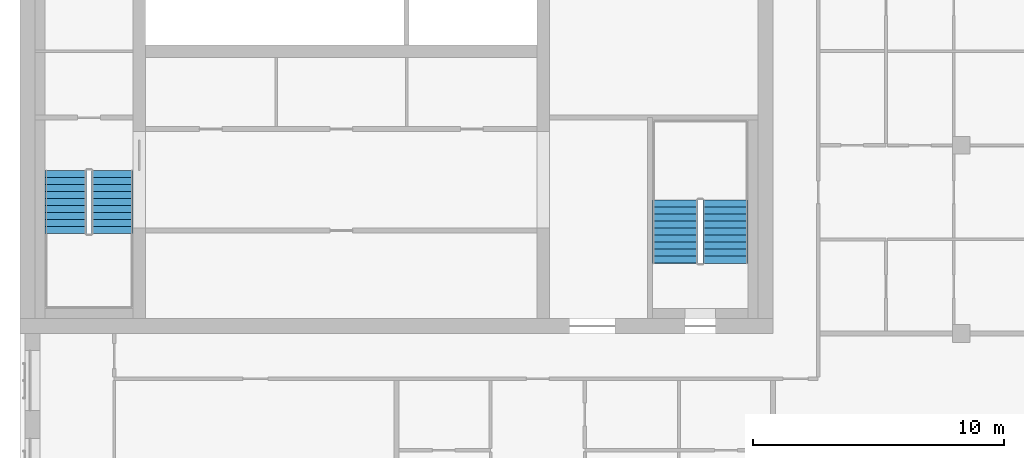
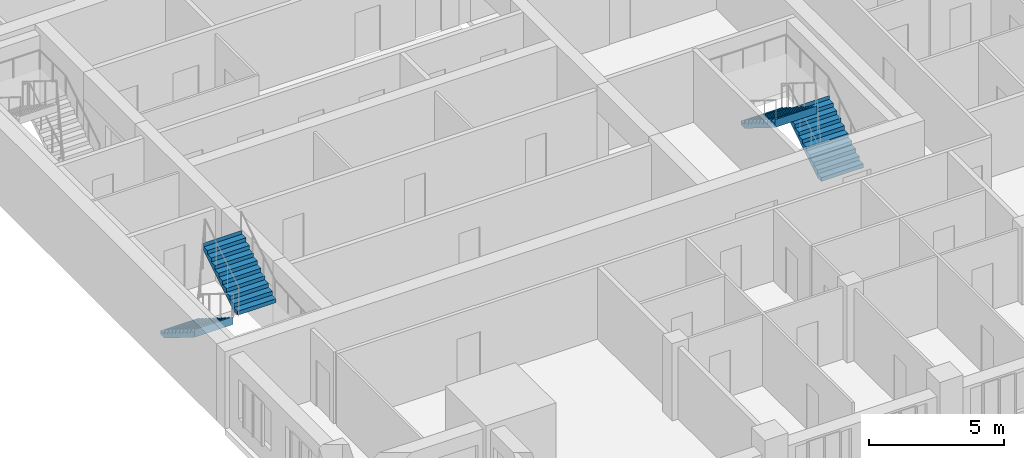
# One storey, part 8 of 10: 4 stair flights, 2 elements without a shape of their own.
"""IFC4 building model written with IfcOpenShell, lengths in metres."""

from ifc_helpers import new_model, si_unit, direction, frame, origin, place, context, subcontext, project, spatial, polyline, outline, extrude, material, type_object, element, aggregate, save


model = new_model("IFC4")

# Units and contexts
model_context = context("Model", 3, precision=1e-05, world=origin(), true_north=direction((0.0, 1.0)))
body_context = subcontext(model_context, "Body", "Model", "MODEL_VIEW")
ifc_project = project(units=[si_unit("LENGTHUNIT", "METRE"), si_unit("AREAUNIT", "SQUARE_METRE"), si_unit("VOLUMEUNIT", "CUBIC_METRE"), si_unit("PLANEANGLEUNIT", "RADIAN"), si_unit("MASSUNIT", "GRAM", prefix="KILO")], contexts=[model_context])

# Site, building, storey
site_placement = place(None, origin())
site = spatial("IfcSite", under=ifc_project, at=site_placement, CompositionType="ELEMENT")
building_placement = place(site_placement, origin())
building = spatial("IfcBuilding", under=site, at=building_placement, Name="Tamorin Gate", CompositionType="ELEMENT")
storey_placement = place(building_placement, frame((0.0, 0.0, 273.199951171875)))
storey = spatial("IfcBuildingStorey", under=building, at=storey_placement, Name="L68", CompositionType="ELEMENT", Elevation=273.199951171875)

# Stair, stair flights
ifc_material = material(Name="Concrete C40/50", Category="concrete")
stair_type = type_object("IfcStairType", Name="Exit stair", PredefinedType="HALF_TURN_STAIR", material=ifc_material)
stair_1_placement = place(storey_placement, origin())
stair_1 = element("IfcStair", 1, at=stair_1_placement, inside=storey, type_object=stair_type, Name="L68 stair ST1", PredefinedType="HALF_TURN_STAIR")
stair_flight_type = type_object("IfcStairFlightType", Name="Exit stair flight", PredefinedType="STRAIGHT", material=ifc_material)
stair_flight_1_placement = place(storey_placement, frame((31.824951171875, 66.5, 0.0), z_axis=(0.0, 0.0, 1.0), x_axis=(0.0, -1.0, 0.0)))
stair_flight_1 = element("IfcStairFlight", 2, at=stair_flight_1_placement, type_object=stair_flight_type, Name="ST1 flight 1", NumberOfRisers=10, NumberOfTreads=9, PredefinedType="STRAIGHT", RiserHeight=0.175, TreadLength=0.28, context=body_context, shape_type="SweptSolid", body=[
    extrude(outline(polyline([(-0.00048828125, 0.0), (-0.00048828125, 0.001708984375), (-0.00048828125, 0.00341796875), (-0.00048828125, 0.005126953125), (-0.00048828125, 0.0068359375), (-0.00048828125, 0.008544921875), (-0.00048828125, 0.010498046875), (-0.00048828125, 0.01220703125), (-0.00048828125, 0.013916015625), (-0.00048828125, 0.015625), (-0.00048828125, 0.017333984375), (-0.00048828125, 0.01904296875), (-0.00048828125, 0.020751953125), (-0.00048828125, 0.0224609375), (-0.00048828125, 0.024169921875), (-0.00048828125, 0.02587890625), (-0.00048828125, 0.02783203125), (-0.00048828125, 0.029541015625), (-0.00048828125, 0.03125), (-0.00048828125, 0.032958984375), (-0.00048828125, 0.03466796875), (-0.00048828125, 0.036376953125), (-0.00048828125, 0.0380859375), (-0.00048828125, 0.039794921875), (-0.00048828125, 0.04150390625), (-0.00048828125, 0.043212890625), (-0.00048828125, 0.045166015625), (-0.00048828125, 0.046875), (-0.00048828125, 0.048583984375), (-0.00048828125, 0.05029296875), (-0.00048828125, 0.052001953125), (-0.00048828125, 0.0537109375), (-0.00048828125, 0.055419921875), (-0.00048828125, 0.05712890625), (-0.00048828125, 0.058837890625), (-0.00048828125, 0.060546875), (-0.00048828125, 0.062255859375), (-0.00048828125, 0.064208984375), (-0.00048828125, 0.06591796875), (-0.00048828125, 0.067626953125), (-0.00048828125, 0.0693359375), (-0.00048828125, 0.071044921875), (-0.00048828125, 0.07275390625), (-0.00048828125, 0.074462890625), (-0.00048828125, 0.076171875), (-0.00048828125, 0.077880859375), (-0.00048828125, 0.07958984375), (-0.00048828125, 0.08154296875), (-0.00048828125, 0.083251953125), (-0.00048828125, 0.0849609375), (-0.00048828125, 0.086669921875), (-0.00048828125, 0.08837890625), (-0.00048828125, 0.090087890625), (-0.00048828125, 0.091796875), (-0.00048828125, 0.093505859375), (-0.00048828125, 0.09521484375), (-0.00048828125, 0.096923828125), (-0.00048828125, 0.098876953125), (-0.00048828125, 0.1005859375), (-0.00048828125, 0.102294921875), (-0.00048828125, 0.10400390625), (-0.00048828125, 0.105712890625), (-0.00048828125, 0.107421875), (-0.00048828125, 0.109130859375), (-0.00048828125, 0.11083984375), (-0.00048828125, 0.112548828125), (-0.00048828125, 0.1142578125), (-0.00048828125, 0.1162109375), (-0.00048828125, 0.117919921875), (-0.00048828125, 0.11962890625), (-0.00048828125, 0.121337890625), (-0.00048828125, 0.123046875), (-0.00048828125, 0.124755859375), (-0.00048828125, 0.12646484375), (-0.00048828125, 0.128173828125), (-0.00048828125, 0.1298828125), (-0.00048828125, 0.131591796875), (-0.00048828125, 0.13330078125), (-0.00048828125, 0.13525390625), (-0.00048828125, 0.136962890625), (-0.00048828125, 0.138671875), (-0.00048828125, 0.140380859375), (-0.00048828125, 0.14208984375), (-0.00048828125, 0.143798828125), (-0.00048828125, 0.1455078125), (-0.00048828125, 0.147216796875), (-0.00048828125, 0.14892578125), (-0.00048828125, 0.150634765625), (-0.00048828125, 0.152587890625), (-0.00048828125, 0.154296875), (-0.00048828125, 0.156005859375), (-0.00048828125, 0.15771484375), (-0.00048828125, 0.159423828125), (-0.00048828125, 0.1611328125), (-0.00048828125, 0.162841796875), (-0.00048828125, 0.16455078125), (-0.00048828125, 0.166259765625), (-0.00048828125, 0.16796875), (-0.00048828125, 0.169921875), (-0.00048828125, 0.171630859375), (-0.00048828125, 0.17333984375), (-0.00048828125, 0.175048828125), (0.280029296875, 0.175048828125), (0.280029296875, 0.35009765625), (0.56005859375, 0.35009765625), (0.56005859375, 0.52490234375), (0.840087890625, 0.52490234375), (0.840087890625, 0.699951171875), (1.1201171875, 0.699951171875), (1.1201171875, 0.875), (1.39990234375, 0.875), (1.39990234375, 1.050048828125), (1.679931640625, 1.050048828125), (1.679931640625, 1.22509765625), (1.9599609375, 1.22509765625), (1.9599609375, 1.39990234375), (2.239990234375, 1.39990234375), (2.239990234375, 1.574951171875), (2.52001953125, 1.574951171875), (2.52001953125, 1.75), (2.5205078125, 1.75), (2.5205078125, 1.74658203125), (2.5205078125, 1.742919921875), (2.5205078125, 1.739501953125), (2.5205078125, 1.736083984375), (2.5205078125, 1.732666015625), (2.5205078125, 1.72900390625), (2.5205078125, 1.7255859375), (2.5205078125, 1.72216796875), (2.5205078125, 1.71875), (2.5205078125, 1.715087890625), (2.5205078125, 1.711669921875), (2.5205078125, 1.708251953125), (2.5205078125, 1.704833984375), (2.5205078125, 1.701171875), (2.5205078125, 1.69775390625), (2.5205078125, 1.6943359375), (2.5205078125, 1.690673828125), (2.5205078125, 1.687255859375), (2.5205078125, 1.683837890625), (2.5205078125, 1.680419921875), (2.5205078125, 1.6767578125), (2.5205078125, 1.67333984375), (2.5205078125, 1.669921875), (2.5205078125, 1.66650390625), (2.5205078125, 1.662841796875), (2.5205078125, 1.659423828125), (2.5205078125, 1.656005859375), (2.5205078125, 1.652587890625), (2.5205078125, 1.64892578125), (2.5205078125, 1.6455078125), (2.5205078125, 1.64208984375), (2.5205078125, 1.638427734375), (2.5205078125, 1.635009765625), (2.5205078125, 1.631591796875), (2.5205078125, 1.628173828125), (2.5205078125, 1.62451171875), (2.5205078125, 1.62109375), (2.5205078125, 1.61767578125), (2.5205078125, 1.6142578125), (2.5205078125, 1.610595703125), (2.5205078125, 1.607177734375), (2.5205078125, 1.603759765625), (2.5205078125, 1.600341796875), (2.5205078125, 1.5966796875), (2.5205078125, 1.59326171875), (2.5205078125, 1.58984375), (2.5205078125, 1.58642578125), (2.5205078125, 1.582763671875), (2.5205078125, 1.579345703125), (2.5205078125, 1.575927734375), (2.5205078125, 1.572265625), (2.5205078125, 1.56884765625), (2.5205078125, 1.5654296875), (2.5205078125, 1.56201171875), (2.5205078125, 1.558349609375), (2.5205078125, 1.554931640625), (2.5205078125, 1.551513671875), (2.5205078125, 1.548095703125), (2.5205078125, 1.54443359375), (2.5205078125, 1.541015625), (2.5205078125, 1.53759765625), (2.5205078125, 1.5341796875), (2.5205078125, 1.530517578125), (2.5205078125, 1.527099609375), (2.5205078125, 1.523681640625), (2.5205078125, 1.52001953125), (2.5205078125, 1.5166015625), (2.5205078125, 1.51318359375), (2.5205078125, 1.509765625), (2.5205078125, 1.506103515625), (2.5205078125, 1.502685546875), (2.5205078125, 1.499267578125), (2.5205078125, 1.495849609375), (2.5205078125, 1.4921875), (2.5205078125, 1.48876953125), (2.5205078125, 1.4853515625), (2.5205078125, 1.48193359375), (2.5205078125, 1.478271484375), (2.5205078125, 1.474853515625), (2.5205078125, 1.471435546875), (2.5205078125, 1.4677734375), (2.5205078125, 1.46435546875), (2.5205078125, 1.4609375), (2.5205078125, 1.45751953125), (2.5205078125, 1.453857421875), (2.5205078125, 1.450439453125), (2.5205078125, 1.447021484375), (2.5205078125, 1.443603515625), (2.5205078125, 1.43994140625), (2.5205078125, 1.4365234375), (2.5205078125, 1.43310546875), (2.5205078125, 1.4296875), (2.5205078125, 1.426025390625), (2.5205078125, 1.422607421875), (2.5205078125, 1.419189453125), (2.5205078125, 1.41552734375), (2.5205078125, 1.412109375), (2.5205078125, 1.40869140625), (2.5205078125, 1.4052734375), (2.5205078125, 1.401611328125), (2.5205078125, 1.398193359375), (2.52001953125, 1.398193359375), (0.28271484375, 0.0), (-0.00048828125, 0.0)])), frame((0.0, 0.824951171875, 0.0), z_axis=(0.0, -1.0, 0.0), x_axis=(1.0, 0.0, 0.0)), (0.0, 0.0, 1.0), 1.64990234375),
])
stair_flight_2_placement = place(storey_placement, frame((33.675048828125, 63.97998046875, 1.75), z_axis=(0.0, 0.0, 1.0), x_axis=(0.0, 1.0, 0.0)))
stair_flight_2 = element("IfcStairFlight", 3, at=stair_flight_2_placement, type_object=stair_flight_type, Name="ST1 flight 2", NumberOfRisers=10, NumberOfTreads=9, PredefinedType="STRAIGHT", RiserHeight=0.175, TreadLength=0.28, context=body_context, shape_type="SweptSolid", body=[
    extrude(outline(polyline([(-0.00048828125, 0.0), (-0.00048828125, 0.001708984375), (-0.00048828125, 0.00341796875), (-0.00048828125, 0.005126953125), (-0.00048828125, 0.0068359375), (-0.00048828125, 0.008544921875), (-0.00048828125, 0.010498046875), (-0.00048828125, 0.01220703125), (-0.00048828125, 0.013916015625), (-0.00048828125, 0.015625), (-0.00048828125, 0.017333984375), (-0.00048828125, 0.01904296875), (-0.00048828125, 0.020751953125), (-0.00048828125, 0.0224609375), (-0.00048828125, 0.024169921875), (-0.00048828125, 0.02587890625), (-0.00048828125, 0.02783203125), (-0.00048828125, 0.029541015625), (-0.00048828125, 0.03125), (-0.00048828125, 0.032958984375), (-0.00048828125, 0.03466796875), (-0.00048828125, 0.036376953125), (-0.00048828125, 0.0380859375), (-0.00048828125, 0.039794921875), (-0.00048828125, 0.04150390625), (-0.00048828125, 0.043212890625), (-0.00048828125, 0.045166015625), (-0.00048828125, 0.046875), (-0.00048828125, 0.048583984375), (-0.00048828125, 0.05029296875), (-0.00048828125, 0.052001953125), (-0.00048828125, 0.0537109375), (-0.00048828125, 0.055419921875), (-0.00048828125, 0.05712890625), (-0.00048828125, 0.058837890625), (-0.00048828125, 0.060546875), (-0.00048828125, 0.062255859375), (-0.00048828125, 0.064208984375), (-0.00048828125, 0.06591796875), (-0.00048828125, 0.067626953125), (-0.00048828125, 0.0693359375), (-0.00048828125, 0.071044921875), (-0.00048828125, 0.07275390625), (-0.00048828125, 0.074462890625), (-0.00048828125, 0.076171875), (-0.00048828125, 0.077880859375), (-0.00048828125, 0.07958984375), (-0.00048828125, 0.08154296875), (-0.00048828125, 0.083251953125), (-0.00048828125, 0.0849609375), (-0.00048828125, 0.086669921875), (-0.00048828125, 0.08837890625), (-0.00048828125, 0.090087890625), (-0.00048828125, 0.091796875), (-0.00048828125, 0.093505859375), (-0.00048828125, 0.09521484375), (-0.00048828125, 0.096923828125), (-0.00048828125, 0.098876953125), (-0.00048828125, 0.1005859375), (-0.00048828125, 0.102294921875), (-0.00048828125, 0.10400390625), (-0.00048828125, 0.105712890625), (-0.00048828125, 0.107421875), (-0.00048828125, 0.109130859375), (-0.00048828125, 0.11083984375), (-0.00048828125, 0.112548828125), (-0.00048828125, 0.1142578125), (-0.00048828125, 0.1162109375), (-0.00048828125, 0.117919921875), (-0.00048828125, 0.11962890625), (-0.00048828125, 0.121337890625), (-0.00048828125, 0.123046875), (-0.00048828125, 0.124755859375), (-0.00048828125, 0.12646484375), (-0.00048828125, 0.128173828125), (-0.00048828125, 0.1298828125), (-0.00048828125, 0.131591796875), (-0.00048828125, 0.13330078125), (-0.00048828125, 0.13525390625), (-0.00048828125, 0.136962890625), (-0.00048828125, 0.138671875), (-0.00048828125, 0.140380859375), (-0.00048828125, 0.14208984375), (-0.00048828125, 0.143798828125), (-0.00048828125, 0.1455078125), (-0.00048828125, 0.147216796875), (-0.00048828125, 0.14892578125), (-0.00048828125, 0.150634765625), (-0.00048828125, 0.152587890625), (-0.00048828125, 0.154296875), (-0.00048828125, 0.156005859375), (-0.00048828125, 0.15771484375), (-0.00048828125, 0.159423828125), (-0.00048828125, 0.1611328125), (-0.00048828125, 0.162841796875), (-0.00048828125, 0.16455078125), (-0.00048828125, 0.166259765625), (-0.00048828125, 0.16796875), (-0.00048828125, 0.169921875), (-0.00048828125, 0.171630859375), (-0.00048828125, 0.17333984375), (-0.00048828125, 0.175048828125), (0.280029296875, 0.175048828125), (0.280029296875, 0.35009765625), (0.56005859375, 0.35009765625), (0.56005859375, 0.52490234375), (0.840087890625, 0.52490234375), (0.840087890625, 0.699951171875), (1.1201171875, 0.699951171875), (1.1201171875, 0.875), (1.39990234375, 0.875), (1.39990234375, 1.050048828125), (1.679931640625, 1.050048828125), (1.679931640625, 1.22509765625), (1.9599609375, 1.22509765625), (1.9599609375, 1.39990234375), (2.239990234375, 1.39990234375), (2.239990234375, 1.574951171875), (2.52001953125, 1.574951171875), (2.52001953125, 1.75), (2.5205078125, 1.75), (2.5205078125, 1.74658203125), (2.5205078125, 1.742919921875), (2.5205078125, 1.739501953125), (2.5205078125, 1.736083984375), (2.5205078125, 1.732666015625), (2.5205078125, 1.72900390625), (2.5205078125, 1.7255859375), (2.5205078125, 1.72216796875), (2.5205078125, 1.71875), (2.5205078125, 1.715087890625), (2.5205078125, 1.711669921875), (2.5205078125, 1.708251953125), (2.5205078125, 1.704833984375), (2.5205078125, 1.701171875), (2.5205078125, 1.69775390625), (2.5205078125, 1.6943359375), (2.5205078125, 1.690673828125), (2.5205078125, 1.687255859375), (2.5205078125, 1.683837890625), (2.5205078125, 1.680419921875), (2.5205078125, 1.6767578125), (2.5205078125, 1.67333984375), (2.5205078125, 1.669921875), (2.5205078125, 1.66650390625), (2.5205078125, 1.662841796875), (2.5205078125, 1.659423828125), (2.5205078125, 1.656005859375), (2.5205078125, 1.652587890625), (2.5205078125, 1.64892578125), (2.5205078125, 1.6455078125), (2.5205078125, 1.64208984375), (2.5205078125, 1.638427734375), (2.5205078125, 1.635009765625), (2.5205078125, 1.631591796875), (2.5205078125, 1.628173828125), (2.5205078125, 1.62451171875), (2.5205078125, 1.62109375), (2.5205078125, 1.61767578125), (2.5205078125, 1.6142578125), (2.5205078125, 1.610595703125), (2.5205078125, 1.607177734375), (2.5205078125, 1.603759765625), (2.5205078125, 1.600341796875), (2.5205078125, 1.5966796875), (2.5205078125, 1.59326171875), (2.5205078125, 1.58984375), (2.5205078125, 1.58642578125), (2.5205078125, 1.582763671875), (2.5205078125, 1.579345703125), (2.5205078125, 1.575927734375), (2.5205078125, 1.572265625), (2.5205078125, 1.56884765625), (2.5205078125, 1.5654296875), (2.5205078125, 1.56201171875), (2.5205078125, 1.558349609375), (2.5205078125, 1.554931640625), (2.5205078125, 1.551513671875), (2.5205078125, 1.548095703125), (2.5205078125, 1.54443359375), (2.5205078125, 1.541015625), (2.5205078125, 1.53759765625), (2.5205078125, 1.5341796875), (2.5205078125, 1.530517578125), (2.5205078125, 1.527099609375), (2.5205078125, 1.523681640625), (2.5205078125, 1.52001953125), (2.5205078125, 1.5166015625), (2.5205078125, 1.51318359375), (2.5205078125, 1.509765625), (2.5205078125, 1.506103515625), (2.5205078125, 1.502685546875), (2.5205078125, 1.499267578125), (2.5205078125, 1.495849609375), (2.5205078125, 1.4921875), (2.5205078125, 1.48876953125), (2.5205078125, 1.4853515625), (2.5205078125, 1.48193359375), (2.5205078125, 1.478271484375), (2.5205078125, 1.474853515625), (2.5205078125, 1.471435546875), (2.5205078125, 1.4677734375), (2.5205078125, 1.46435546875), (2.5205078125, 1.4609375), (2.5205078125, 1.45751953125), (2.5205078125, 1.453857421875), (2.5205078125, 1.450439453125), (2.5205078125, 1.447021484375), (2.5205078125, 1.443603515625), (2.5205078125, 1.43994140625), (2.5205078125, 1.4365234375), (2.5205078125, 1.43310546875), (2.5205078125, 1.4296875), (2.5205078125, 1.426025390625), (2.5205078125, 1.422607421875), (2.5205078125, 1.419189453125), (2.5205078125, 1.41552734375), (2.5205078125, 1.412109375), (2.5205078125, 1.40869140625), (2.5205078125, 1.4052734375), (2.5205078125, 1.401611328125), (2.5205078125, 1.398193359375), (2.52001953125, 1.398193359375), (0.28271484375, 0.0), (-0.00048828125, 0.0)])), frame((0.0, 0.824951171875, 0.0), z_axis=(0.0, -1.0, 0.0), x_axis=(1.0, 0.0, 0.0)), (0.0, 0.0, 1.0), 1.64990234375),
])
aggregate(stair_1, [stair_flight_1, stair_flight_2])

stair_2_placement = place(storey_placement, origin())
stair_2 = element("IfcStair", 4, at=stair_2_placement, inside=storey, type_object=stair_type, Name="L68 stair ST3", PredefinedType="HALF_TURN_STAIR")
stair_flight_3_placement = place(storey_placement, frame((58.10009765625, 62.800048828125, 0.0), z_axis=(0.0, 0.0, 1.0), x_axis=(0.0, 1.0, 0.0)))
stair_flight_3 = element("IfcStairFlight", 5, at=stair_flight_3_placement, type_object=stair_flight_type, Name="ST3 flight 1", NumberOfRisers=10, NumberOfTreads=9, PredefinedType="STRAIGHT", RiserHeight=0.175, TreadLength=0.28, context=body_context, shape_type="SweptSolid", body=[
    extrude(outline(polyline([(-0.00048828125, 0.0), (-0.00048828125, 0.001708984375), (-0.00048828125, 0.00341796875), (-0.00048828125, 0.005126953125), (-0.00048828125, 0.0068359375), (-0.00048828125, 0.008544921875), (-0.00048828125, 0.010498046875), (-0.00048828125, 0.01220703125), (-0.00048828125, 0.013916015625), (-0.00048828125, 0.015625), (-0.00048828125, 0.017333984375), (-0.00048828125, 0.01904296875), (-0.00048828125, 0.020751953125), (-0.00048828125, 0.0224609375), (-0.00048828125, 0.024169921875), (-0.00048828125, 0.02587890625), (-0.00048828125, 0.02783203125), (-0.00048828125, 0.029541015625), (-0.00048828125, 0.03125), (-0.00048828125, 0.032958984375), (-0.00048828125, 0.03466796875), (-0.00048828125, 0.036376953125), (-0.00048828125, 0.0380859375), (-0.00048828125, 0.039794921875), (-0.00048828125, 0.04150390625), (-0.00048828125, 0.043212890625), (-0.00048828125, 0.045166015625), (-0.00048828125, 0.046875), (-0.00048828125, 0.048583984375), (-0.00048828125, 0.05029296875), (-0.00048828125, 0.052001953125), (-0.00048828125, 0.0537109375), (-0.00048828125, 0.055419921875), (-0.00048828125, 0.05712890625), (-0.00048828125, 0.058837890625), (-0.00048828125, 0.060546875), (-0.00048828125, 0.062255859375), (-0.00048828125, 0.064208984375), (-0.00048828125, 0.06591796875), (-0.00048828125, 0.067626953125), (-0.00048828125, 0.0693359375), (-0.00048828125, 0.071044921875), (-0.00048828125, 0.07275390625), (-0.00048828125, 0.074462890625), (-0.00048828125, 0.076171875), (-0.00048828125, 0.077880859375), (-0.00048828125, 0.07958984375), (-0.00048828125, 0.08154296875), (-0.00048828125, 0.083251953125), (-0.00048828125, 0.0849609375), (-0.00048828125, 0.086669921875), (-0.00048828125, 0.08837890625), (-0.00048828125, 0.090087890625), (-0.00048828125, 0.091796875), (-0.00048828125, 0.093505859375), (-0.00048828125, 0.09521484375), (-0.00048828125, 0.096923828125), (-0.00048828125, 0.098876953125), (-0.00048828125, 0.1005859375), (-0.00048828125, 0.102294921875), (-0.00048828125, 0.10400390625), (-0.00048828125, 0.105712890625), (-0.00048828125, 0.107421875), (-0.00048828125, 0.109130859375), (-0.00048828125, 0.11083984375), (-0.00048828125, 0.112548828125), (-0.00048828125, 0.1142578125), (-0.00048828125, 0.1162109375), (-0.00048828125, 0.117919921875), (-0.00048828125, 0.11962890625), (-0.00048828125, 0.121337890625), (-0.00048828125, 0.123046875), (-0.00048828125, 0.124755859375), (-0.00048828125, 0.12646484375), (-0.00048828125, 0.128173828125), (-0.00048828125, 0.1298828125), (-0.00048828125, 0.131591796875), (-0.00048828125, 0.13330078125), (-0.00048828125, 0.13525390625), (-0.00048828125, 0.136962890625), (-0.00048828125, 0.138671875), (-0.00048828125, 0.140380859375), (-0.00048828125, 0.14208984375), (-0.00048828125, 0.143798828125), (-0.00048828125, 0.1455078125), (-0.00048828125, 0.147216796875), (-0.00048828125, 0.14892578125), (-0.00048828125, 0.150634765625), (-0.00048828125, 0.152587890625), (-0.00048828125, 0.154296875), (-0.00048828125, 0.156005859375), (-0.00048828125, 0.15771484375), (-0.00048828125, 0.159423828125), (-0.00048828125, 0.1611328125), (-0.00048828125, 0.162841796875), (-0.00048828125, 0.16455078125), (-0.00048828125, 0.166259765625), (-0.00048828125, 0.16796875), (-0.00048828125, 0.169921875), (-0.00048828125, 0.171630859375), (-0.00048828125, 0.17333984375), (-0.00048828125, 0.175048828125), (0.280029296875, 0.175048828125), (0.280029296875, 0.35009765625), (0.56005859375, 0.35009765625), (0.56005859375, 0.52490234375), (0.840087890625, 0.52490234375), (0.840087890625, 0.699951171875), (1.1201171875, 0.699951171875), (1.1201171875, 0.875), (1.39990234375, 0.875), (1.39990234375, 1.050048828125), (1.679931640625, 1.050048828125), (1.679931640625, 1.22509765625), (1.9599609375, 1.22509765625), (1.9599609375, 1.39990234375), (2.239990234375, 1.39990234375), (2.239990234375, 1.574951171875), (2.52001953125, 1.574951171875), (2.52001953125, 1.75), (2.5205078125, 1.75), (2.5205078125, 1.74658203125), (2.5205078125, 1.742919921875), (2.5205078125, 1.739501953125), (2.5205078125, 1.736083984375), (2.5205078125, 1.732666015625), (2.5205078125, 1.72900390625), (2.5205078125, 1.7255859375), (2.5205078125, 1.72216796875), (2.5205078125, 1.71875), (2.5205078125, 1.715087890625), (2.5205078125, 1.711669921875), (2.5205078125, 1.708251953125), (2.5205078125, 1.704833984375), (2.5205078125, 1.701171875), (2.5205078125, 1.69775390625), (2.5205078125, 1.6943359375), (2.5205078125, 1.690673828125), (2.5205078125, 1.687255859375), (2.5205078125, 1.683837890625), (2.5205078125, 1.680419921875), (2.5205078125, 1.6767578125), (2.5205078125, 1.67333984375), (2.5205078125, 1.669921875), (2.5205078125, 1.66650390625), (2.5205078125, 1.662841796875), (2.5205078125, 1.659423828125), (2.5205078125, 1.656005859375), (2.5205078125, 1.652587890625), (2.5205078125, 1.64892578125), (2.5205078125, 1.6455078125), (2.5205078125, 1.64208984375), (2.5205078125, 1.638427734375), (2.5205078125, 1.635009765625), (2.5205078125, 1.631591796875), (2.5205078125, 1.628173828125), (2.5205078125, 1.62451171875), (2.5205078125, 1.62109375), (2.5205078125, 1.61767578125), (2.5205078125, 1.6142578125), (2.5205078125, 1.610595703125), (2.5205078125, 1.607177734375), (2.5205078125, 1.603759765625), (2.5205078125, 1.600341796875), (2.5205078125, 1.5966796875), (2.5205078125, 1.59326171875), (2.5205078125, 1.58984375), (2.5205078125, 1.58642578125), (2.5205078125, 1.582763671875), (2.5205078125, 1.579345703125), (2.5205078125, 1.575927734375), (2.5205078125, 1.572265625), (2.5205078125, 1.56884765625), (2.5205078125, 1.5654296875), (2.5205078125, 1.56201171875), (2.5205078125, 1.558349609375), (2.5205078125, 1.554931640625), (2.5205078125, 1.551513671875), (2.5205078125, 1.548095703125), (2.5205078125, 1.54443359375), (2.5205078125, 1.541015625), (2.5205078125, 1.53759765625), (2.5205078125, 1.5341796875), (2.5205078125, 1.530517578125), (2.5205078125, 1.527099609375), (2.5205078125, 1.523681640625), (2.5205078125, 1.52001953125), (2.5205078125, 1.5166015625), (2.5205078125, 1.51318359375), (2.5205078125, 1.509765625), (2.5205078125, 1.506103515625), (2.5205078125, 1.502685546875), (2.5205078125, 1.499267578125), (2.5205078125, 1.495849609375), (2.5205078125, 1.4921875), (2.5205078125, 1.48876953125), (2.5205078125, 1.4853515625), (2.5205078125, 1.48193359375), (2.5205078125, 1.478271484375), (2.5205078125, 1.474853515625), (2.5205078125, 1.471435546875), (2.5205078125, 1.4677734375), (2.5205078125, 1.46435546875), (2.5205078125, 1.4609375), (2.5205078125, 1.45751953125), (2.5205078125, 1.453857421875), (2.5205078125, 1.450439453125), (2.5205078125, 1.447021484375), (2.5205078125, 1.443603515625), (2.5205078125, 1.43994140625), (2.5205078125, 1.4365234375), (2.5205078125, 1.43310546875), (2.5205078125, 1.4296875), (2.5205078125, 1.426025390625), (2.5205078125, 1.422607421875), (2.5205078125, 1.419189453125), (2.5205078125, 1.41552734375), (2.5205078125, 1.412109375), (2.5205078125, 1.40869140625), (2.5205078125, 1.4052734375), (2.5205078125, 1.401611328125), (2.5205078125, 1.398193359375), (2.52001953125, 1.398193359375), (0.28271484375, 0.0), (-0.00048828125, 0.0)])), frame((0.0, 0.89990234375, 0.0), z_axis=(0.0, -1.0, 0.0), x_axis=(1.0, 0.0, 0.0)), (0.0, 0.0, 1.0), 1.800048828125),
])
stair_flight_4_placement = place(storey_placement, frame((56.10009765625, 65.320068359375, 1.75), z_axis=(0.0, 0.0, 1.0), x_axis=(0.0, -1.0, 0.0)))
stair_flight_4 = element("IfcStairFlight", 6, at=stair_flight_4_placement, type_object=stair_flight_type, Name="ST3 flight 2", NumberOfRisers=10, NumberOfTreads=9, PredefinedType="STRAIGHT", RiserHeight=0.175, TreadLength=0.28, context=body_context, shape_type="SweptSolid", body=[
    extrude(outline(polyline([(-0.00048828125, 0.0), (-0.00048828125, 0.001708984375), (-0.00048828125, 0.00341796875), (-0.00048828125, 0.005126953125), (-0.00048828125, 0.0068359375), (-0.00048828125, 0.008544921875), (-0.00048828125, 0.010498046875), (-0.00048828125, 0.01220703125), (-0.00048828125, 0.013916015625), (-0.00048828125, 0.015625), (-0.00048828125, 0.017333984375), (-0.00048828125, 0.01904296875), (-0.00048828125, 0.020751953125), (-0.00048828125, 0.0224609375), (-0.00048828125, 0.024169921875), (-0.00048828125, 0.02587890625), (-0.00048828125, 0.02783203125), (-0.00048828125, 0.029541015625), (-0.00048828125, 0.03125), (-0.00048828125, 0.032958984375), (-0.00048828125, 0.03466796875), (-0.00048828125, 0.036376953125), (-0.00048828125, 0.0380859375), (-0.00048828125, 0.039794921875), (-0.00048828125, 0.04150390625), (-0.00048828125, 0.043212890625), (-0.00048828125, 0.045166015625), (-0.00048828125, 0.046875), (-0.00048828125, 0.048583984375), (-0.00048828125, 0.05029296875), (-0.00048828125, 0.052001953125), (-0.00048828125, 0.0537109375), (-0.00048828125, 0.055419921875), (-0.00048828125, 0.05712890625), (-0.00048828125, 0.058837890625), (-0.00048828125, 0.060546875), (-0.00048828125, 0.062255859375), (-0.00048828125, 0.064208984375), (-0.00048828125, 0.06591796875), (-0.00048828125, 0.067626953125), (-0.00048828125, 0.0693359375), (-0.00048828125, 0.071044921875), (-0.00048828125, 0.07275390625), (-0.00048828125, 0.074462890625), (-0.00048828125, 0.076171875), (-0.00048828125, 0.077880859375), (-0.00048828125, 0.07958984375), (-0.00048828125, 0.08154296875), (-0.00048828125, 0.083251953125), (-0.00048828125, 0.0849609375), (-0.00048828125, 0.086669921875), (-0.00048828125, 0.08837890625), (-0.00048828125, 0.090087890625), (-0.00048828125, 0.091796875), (-0.00048828125, 0.093505859375), (-0.00048828125, 0.09521484375), (-0.00048828125, 0.096923828125), (-0.00048828125, 0.098876953125), (-0.00048828125, 0.1005859375), (-0.00048828125, 0.102294921875), (-0.00048828125, 0.10400390625), (-0.00048828125, 0.105712890625), (-0.00048828125, 0.107421875), (-0.00048828125, 0.109130859375), (-0.00048828125, 0.11083984375), (-0.00048828125, 0.112548828125), (-0.00048828125, 0.1142578125), (-0.00048828125, 0.1162109375), (-0.00048828125, 0.117919921875), (-0.00048828125, 0.11962890625), (-0.00048828125, 0.121337890625), (-0.00048828125, 0.123046875), (-0.00048828125, 0.124755859375), (-0.00048828125, 0.12646484375), (-0.00048828125, 0.128173828125), (-0.00048828125, 0.1298828125), (-0.00048828125, 0.131591796875), (-0.00048828125, 0.13330078125), (-0.00048828125, 0.13525390625), (-0.00048828125, 0.136962890625), (-0.00048828125, 0.138671875), (-0.00048828125, 0.140380859375), (-0.00048828125, 0.14208984375), (-0.00048828125, 0.143798828125), (-0.00048828125, 0.1455078125), (-0.00048828125, 0.147216796875), (-0.00048828125, 0.14892578125), (-0.00048828125, 0.150634765625), (-0.00048828125, 0.152587890625), (-0.00048828125, 0.154296875), (-0.00048828125, 0.156005859375), (-0.00048828125, 0.15771484375), (-0.00048828125, 0.159423828125), (-0.00048828125, 0.1611328125), (-0.00048828125, 0.162841796875), (-0.00048828125, 0.16455078125), (-0.00048828125, 0.166259765625), (-0.00048828125, 0.16796875), (-0.00048828125, 0.169921875), (-0.00048828125, 0.171630859375), (-0.00048828125, 0.17333984375), (-0.00048828125, 0.175048828125), (0.280029296875, 0.175048828125), (0.280029296875, 0.35009765625), (0.56005859375, 0.35009765625), (0.56005859375, 0.52490234375), (0.840087890625, 0.52490234375), (0.840087890625, 0.699951171875), (1.1201171875, 0.699951171875), (1.1201171875, 0.875), (1.39990234375, 0.875), (1.39990234375, 1.050048828125), (1.679931640625, 1.050048828125), (1.679931640625, 1.22509765625), (1.9599609375, 1.22509765625), (1.9599609375, 1.39990234375), (2.239990234375, 1.39990234375), (2.239990234375, 1.574951171875), (2.52001953125, 1.574951171875), (2.52001953125, 1.75), (2.5205078125, 1.75), (2.5205078125, 1.74658203125), (2.5205078125, 1.742919921875), (2.5205078125, 1.739501953125), (2.5205078125, 1.736083984375), (2.5205078125, 1.732666015625), (2.5205078125, 1.72900390625), (2.5205078125, 1.7255859375), (2.5205078125, 1.72216796875), (2.5205078125, 1.71875), (2.5205078125, 1.715087890625), (2.5205078125, 1.711669921875), (2.5205078125, 1.708251953125), (2.5205078125, 1.704833984375), (2.5205078125, 1.701171875), (2.5205078125, 1.69775390625), (2.5205078125, 1.6943359375), (2.5205078125, 1.690673828125), (2.5205078125, 1.687255859375), (2.5205078125, 1.683837890625), (2.5205078125, 1.680419921875), (2.5205078125, 1.6767578125), (2.5205078125, 1.67333984375), (2.5205078125, 1.669921875), (2.5205078125, 1.66650390625), (2.5205078125, 1.662841796875), (2.5205078125, 1.659423828125), (2.5205078125, 1.656005859375), (2.5205078125, 1.652587890625), (2.5205078125, 1.64892578125), (2.5205078125, 1.6455078125), (2.5205078125, 1.64208984375), (2.5205078125, 1.638427734375), (2.5205078125, 1.635009765625), (2.5205078125, 1.631591796875), (2.5205078125, 1.628173828125), (2.5205078125, 1.62451171875), (2.5205078125, 1.62109375), (2.5205078125, 1.61767578125), (2.5205078125, 1.6142578125), (2.5205078125, 1.610595703125), (2.5205078125, 1.607177734375), (2.5205078125, 1.603759765625), (2.5205078125, 1.600341796875), (2.5205078125, 1.5966796875), (2.5205078125, 1.59326171875), (2.5205078125, 1.58984375), (2.5205078125, 1.58642578125), (2.5205078125, 1.582763671875), (2.5205078125, 1.579345703125), (2.5205078125, 1.575927734375), (2.5205078125, 1.572265625), (2.5205078125, 1.56884765625), (2.5205078125, 1.5654296875), (2.5205078125, 1.56201171875), (2.5205078125, 1.558349609375), (2.5205078125, 1.554931640625), (2.5205078125, 1.551513671875), (2.5205078125, 1.548095703125), (2.5205078125, 1.54443359375), (2.5205078125, 1.541015625), (2.5205078125, 1.53759765625), (2.5205078125, 1.5341796875), (2.5205078125, 1.530517578125), (2.5205078125, 1.527099609375), (2.5205078125, 1.523681640625), (2.5205078125, 1.52001953125), (2.5205078125, 1.5166015625), (2.5205078125, 1.51318359375), (2.5205078125, 1.509765625), (2.5205078125, 1.506103515625), (2.5205078125, 1.502685546875), (2.5205078125, 1.499267578125), (2.5205078125, 1.495849609375), (2.5205078125, 1.4921875), (2.5205078125, 1.48876953125), (2.5205078125, 1.4853515625), (2.5205078125, 1.48193359375), (2.5205078125, 1.478271484375), (2.5205078125, 1.474853515625), (2.5205078125, 1.471435546875), (2.5205078125, 1.4677734375), (2.5205078125, 1.46435546875), (2.5205078125, 1.4609375), (2.5205078125, 1.45751953125), (2.5205078125, 1.453857421875), (2.5205078125, 1.450439453125), (2.5205078125, 1.447021484375), (2.5205078125, 1.443603515625), (2.5205078125, 1.43994140625), (2.5205078125, 1.4365234375), (2.5205078125, 1.43310546875), (2.5205078125, 1.4296875), (2.5205078125, 1.426025390625), (2.5205078125, 1.422607421875), (2.5205078125, 1.419189453125), (2.5205078125, 1.41552734375), (2.5205078125, 1.412109375), (2.5205078125, 1.40869140625), (2.5205078125, 1.4052734375), (2.5205078125, 1.401611328125), (2.5205078125, 1.398193359375), (2.52001953125, 1.398193359375), (0.28271484375, 0.0), (-0.00048828125, 0.0)])), frame((0.0, 0.89990234375, 0.0), z_axis=(0.0, -1.0, 0.0), x_axis=(1.0, 0.0, 0.0)), (0.0, 0.0, 1.0), 1.800048828125),
])
aggregate(stair_2, [stair_flight_3, stair_flight_4])

save(model, "model.ifc")
